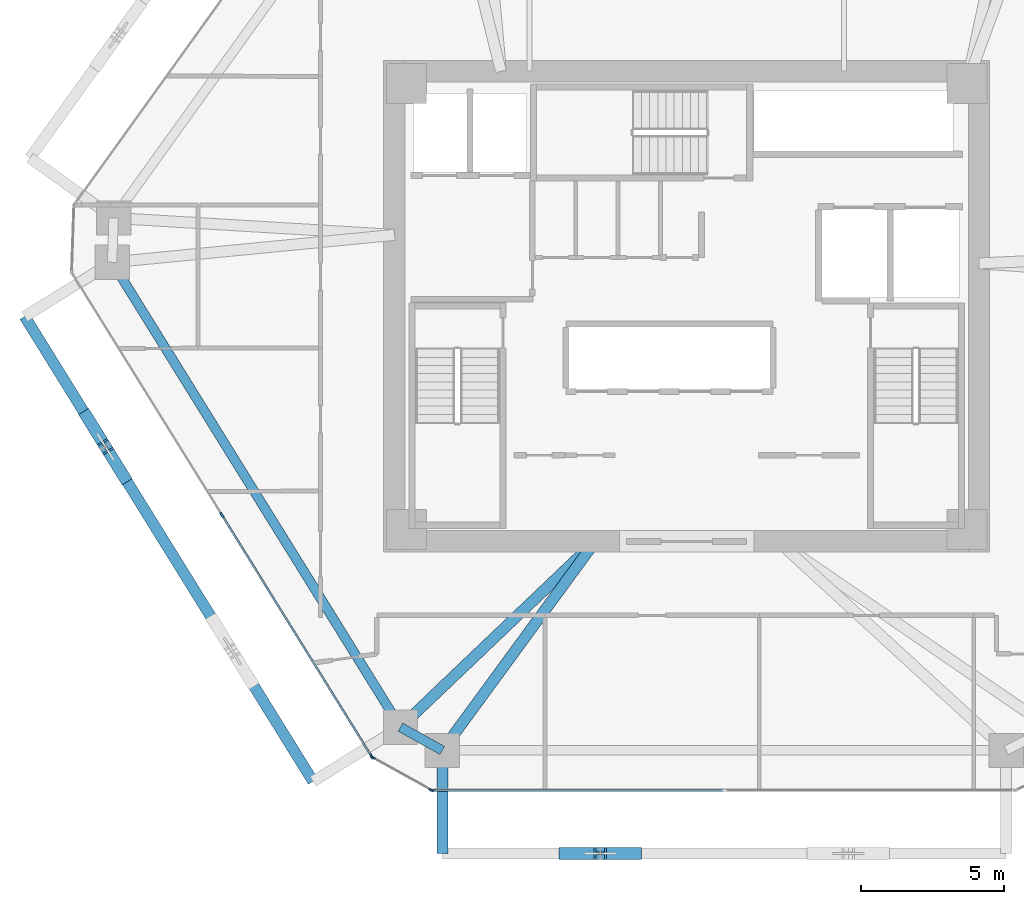
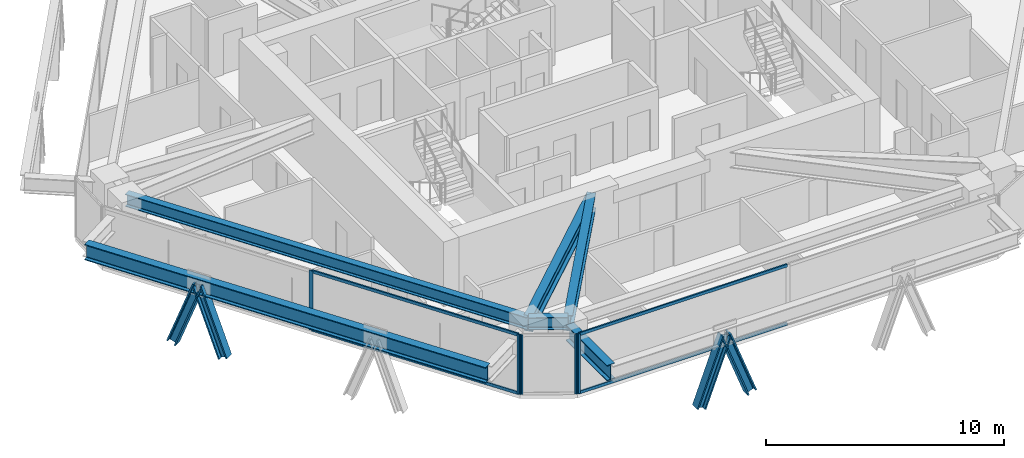
# One storey, part 2 of 16: 13 members, 6 beams, 3 elements without a shape of their own.
"""IFC4 building model written with IfcOpenShell, lengths in metres."""

from ifc_helpers import new_model, si_unit, direction, frame, origin, origin_2d, place, context, subcontext, project, spatial, rectangle, i_section, extrude, source, transform, mapped, material, layer, layer_set, material_profile, profile_set, type_object, type_shapes, element, aggregate, save


model = new_model("IFC4")

# Units and contexts
model_context = context("Model", 3, precision=1e-05, world=origin(), true_north=direction((0.0, 1.0)))
body_context = subcontext(model_context, "Body", "Model", "MODEL_VIEW")
ifc_project = project(units=[si_unit("LENGTHUNIT", "METRE"), si_unit("AREAUNIT", "SQUARE_METRE"), si_unit("VOLUMEUNIT", "CUBIC_METRE"), si_unit("PLANEANGLEUNIT", "RADIAN"), si_unit("MASSUNIT", "GRAM", prefix="KILO")], contexts=[model_context])

# Site, building, storey
site_placement = place(None, origin())
site = spatial("IfcSite", under=ifc_project, at=site_placement, CompositionType="ELEMENT")
building_placement = place(site_placement, origin())
building = spatial("IfcBuilding", under=site, at=building_placement, Name="Durnholm Broadcast Tower", CompositionType="ELEMENT")
storey_placement = place(building_placement, frame((0.0, 0.0, 123.89990234375)))
storey = spatial("IfcBuildingStorey", under=building, at=storey_placement, Name="L33", CompositionType="ELEMENT", Elevation=123.89990234375)

# Beams
ifc_material_1 = material(Name="Steel ASTM A992 Grade 50", Category="steel")
ifc_material_profile_1 = material_profile(ifc_material_1, i_section(OverallWidth=0.385009765625, OverallDepth=0.802978515625, WebThickness=0.023681640625, FlangeThickness=0.0419921875, FilletRadius=0.032958984375, at=origin_2d()), Name="W30X261")
ifc_profile_set_1 = profile_set([ifc_material_profile_1], Name="Steel ASTM A992 Grade 50")
beam_type_1 = type_object("IfcBeamType", Name="BM-EXO-TIE", PredefinedType="USERDEFINED", material=ifc_profile_set_1)
shared_shape_1 = source(origin(), body_context, "Body", "SweptSolid", [
    extrude(i_section(OverallWidth=0.385009765625, OverallDepth=0.802978515625, WebThickness=0.023681640625, FlangeThickness=0.0419921875, FilletRadius=0.032958984375, at=origin_2d()), origin(), (0.0, 0.0, 1.0), 3.4560546875),
])
beam_1_placement = place(storey_placement, frame((-8.552001953125, -15.680908203125, 2.30859375), z_axis=(0.0, -1.0, 0.0), x_axis=(1.0, 0.0, 0.0)))
element("IfcBeam", 1, at=beam_1_placement, inside=storey, type_object=beam_type_1, Name="L33 exoskeleton stand-off tie bracket F1.1", ObjectType="GIRDER", PredefinedType="USERDEFINED", context=body_context, shape_type="MappedRepresentation", body=[
    mapped(shared_shape_1, transform((0.0, 0.0, 0.0), x_axis=(1.0, 0.0, 0.0), y_axis=(0.0, 1.0, 0.0), z_axis=(0.0, 0.0, 1.0), scale=1.0)),
])
ifc_material_profile_2 = material_profile(ifc_material_1, i_section(OverallWidth=0.3291015625, OverallDepth=0.635009765625, WebThickness=0.017822265625, FlangeThickness=0.031005859375, FilletRadius=0.02783203125, at=origin_2d()), Name="W24X162")
ifc_profile_set_2 = profile_set([ifc_material_profile_2], Name="Steel ASTM A992 Grade 50")
beam_type_2 = type_object("IfcBeamType", Name="STL-SP-W24X162", PredefinedType="SPANDREL", material=ifc_profile_set_2)
shared_shape_2 = source(origin(), body_context, "Body", "SweptSolid", [
    extrude(i_section(OverallWidth=0.3291015625, OverallDepth=0.635009765625, WebThickness=0.017822265625, FlangeThickness=0.031005859375, FilletRadius=0.02783203125, at=origin_2d()), origin(), (0.0, 0.0, 1.0), 19.1396484375),
])
beam_2_placement = place(storey_placement, frame((-10.01416015625, -14.723388671875, 2.7275390625), z_axis=(-0.527105324954, 0.849799962582, 0.0), x_axis=(-0.849799962582, -0.527105324954, 0.0)))
element("IfcBeam", 2, at=beam_2_placement, inside=storey, type_object=beam_type_2, Name="L33 perimeter spandrel girder 01", PredefinedType="SPANDREL", context=body_context, shape_type="MappedRepresentation", body=[
    mapped(shared_shape_2, transform((0.0, 0.0, 0.0), x_axis=(1.0, 0.0, 0.0), y_axis=(0.0, 1.0, 0.0), z_axis=(0.0, 0.0, 1.0), scale=1.0)),
])
shared_shape_3 = source(origin(), body_context, "Body", "SweptSolid", [
    extrude(i_section(OverallWidth=0.3291015625, OverallDepth=0.635009765625, WebThickness=0.017822265625, FlangeThickness=0.031005859375, FilletRadius=0.02783203125, at=origin_2d()), origin(), (0.0, 0.0, 1.0), 1.67333984375),
])
type_shapes(beam_type_2, [shared_shape_2, shared_shape_3])
beam_3_placement = place(storey_placement, frame((-8.552001953125, -15.537109375, 2.7275390625), z_axis=(-0.873799169188, 0.486286964586, 0.0), x_axis=(-0.486286964586, -0.873799169188, 0.0)))
element("IfcBeam", 3, at=beam_3_placement, inside=storey, type_object=beam_type_2, Name="L33 perimeter spandrel girder 12", PredefinedType="SPANDREL", context=body_context, shape_type="MappedRepresentation", body=[
    mapped(shared_shape_3, transform((0.0, 0.0, 0.0), x_axis=(1.0, 0.0, 0.0), y_axis=(0.0, 1.0, 0.0), z_axis=(0.0, 0.0, 1.0), scale=1.0)),
])
ifc_material_profile_3 = material_profile(ifc_material_1, i_section(OverallWidth=0.385009765625, OverallDepth=0.802978515625, WebThickness=0.023681640625, FlangeThickness=0.0419921875, FilletRadius=0.032958984375, at=origin_2d()), Name="W30X261")
ifc_profile_set_3 = profile_set([ifc_material_profile_3], Name="Steel ASTM A992 Grade 50")
beam_type_3 = type_object("IfcBeamType", Name="STL-GR-W30X261", PredefinedType="USERDEFINED", material=ifc_profile_set_3)
shared_shape_4 = source(origin(), body_context, "Body", "SweptSolid", [
    extrude(i_section(OverallWidth=0.385009765625, OverallDepth=0.802978515625, WebThickness=0.023681640625, FlangeThickness=0.0419921875, FilletRadius=0.032958984375, at=origin_2d()), origin(), (0.0, 0.0, 1.0), 9.416015625),
])
beam_4_placement = place(storey_placement, frame((-3.199951171875, -8.22509765625, 2.6435546875), z_axis=(-0.723683335801, -0.690132182617, 0.0), x_axis=(0.690132182617, -0.723683335801, 0.0)))
element("IfcBeam", 4, at=beam_4_placement, inside=storey, type_object=beam_type_3, Name="L33 radial primary floor girder 01", ObjectType="GIRDER", PredefinedType="USERDEFINED", context=body_context, shape_type="MappedRepresentation", body=[
    mapped(shared_shape_4, transform((0.0, 0.0, 0.0), x_axis=(1.0, 0.0, 0.0), y_axis=(0.0, 1.0, 0.0), z_axis=(0.0, 0.0, 1.0), scale=1.0)),
])
shared_shape_5 = source(origin(), body_context, "Body", "SweptSolid", [
    extrude(i_section(OverallWidth=0.385009765625, OverallDepth=0.802978515625, WebThickness=0.023681640625, FlangeThickness=0.0419921875, FilletRadius=0.032958984375, at=origin_2d()), origin(), (0.0, 0.0, 1.0), 9.0615234375),
])
type_shapes(beam_type_3, [shared_shape_4, shared_shape_5])
beam_5_placement = place(storey_placement, frame((-3.199951171875, -8.22509765625, 2.6435546875), z_axis=(-0.590639241086, -0.806935739008, 0.0), x_axis=(0.806935739008, -0.590639241086, 0.0)))
element("IfcBeam", 5, at=beam_5_placement, inside=storey, type_object=beam_type_3, Name="L33 radial primary floor girder 12", ObjectType="GIRDER", PredefinedType="USERDEFINED", context=body_context, shape_type="MappedRepresentation", body=[
    mapped(shared_shape_5, transform((0.0, 0.0, 0.0), x_axis=(1.0, 0.0, 0.0), y_axis=(0.0, 1.0, 0.0), z_axis=(0.0, 0.0, 1.0), scale=1.0)),
])
shared_shape_6 = source(origin(), body_context, "Body", "SweptSolid", [
    extrude(i_section(OverallWidth=0.385009765625, OverallDepth=0.802978515625, WebThickness=0.023681640625, FlangeThickness=0.0419921875, FilletRadius=0.032958984375, at=origin_2d()), origin(), (0.0, 0.0, 1.0), 19.139404296875),
])
type_shapes(beam_type_1, [shared_shape_1, shared_shape_6])
beam_6_placement = place(storey_placement, frame((-23.162109375, -0.356201171875, 2.30859375), z_axis=(0.527111038734, -0.84979641847, 0.0), x_axis=(0.84979641847, 0.527111038734, 0.0)))
element("IfcBeam", 6, at=beam_6_placement, inside=storey, type_object=beam_type_1, Name="L33 exoskeleton collector spandrel F6", PredefinedType="SPANDREL", context=body_context, shape_type="MappedRepresentation", body=[
    mapped(shared_shape_6, transform((0.0, 0.0, 0.0), x_axis=(1.0, 0.0, 0.0), y_axis=(0.0, 1.0, 0.0), z_axis=(0.0, 0.0, 1.0), scale=1.0)),
])

# Members
ifc_material_2 = material(Name="Steel ASTM A913 Grade 65", Category="steel")
ifc_material_profile_4 = material_profile(ifc_material_2, i_section(OverallWidth=0.41845703125, OverallDepth=0.455078125, WebThickness=0.0419921875, FlangeThickness=0.067626953125, FilletRadius=0.030517578125, at=origin_2d()), Name="W14X370")
ifc_profile_set_4 = profile_set([ifc_material_profile_4], Name="Steel ASTM A913 Grade 65")
member_type_1 = type_object("IfcMemberType", Name="STL-DG-W14X370", PredefinedType="BRACE", material=ifc_profile_set_4)
shared_shape_7 = source(origin(), body_context, "Body", "SweptSolid", [
    extrude(i_section(OverallWidth=0.41845703125, OverallDepth=0.455078125, WebThickness=0.0419921875, FlangeThickness=0.067626953125, FilletRadius=0.030517578125, at=origin_2d()), origin(), (0.0, 0.0, 1.0), 3.52294921875),
])
type_shapes(member_type_1, [shared_shape_7])
for number, where, z_axis, x_axis, name in (
    (7, (-4.261962890625, -19.136962890625, -0.9912109375), (0.350242321485, 0.0, 0.93665912489), (0.0, 1.0, 0.0), "L33 stand-off diagrid brace F1.D1.1"),
    (8, (-1.794189453125, -19.136962890625, -0.9912109375), (-0.350242321485, 0.0, 0.93665912489), (0.0, -1.0, 0.0), "L33 stand-off diagrid brace F1.D1.2"),
    (9, (-20.987548828125, -3.86181640625, -0.9912109375), (0.184614818514, -0.297642884954, 0.936656864503), (0.849805205368, 0.527096872433, 0.0), "L33 stand-off diagrid brace F6.D1.1"),
    (10, (-19.686767578125, -5.958740234375, -0.9912109375), (-0.184618626166, 0.297579722507, 0.936676182907), (-0.849750220063, -0.527185511469, 0.0), "L33 stand-off diagrid brace F6.D1.2"),
):
    element("IfcMember", number, at=place(storey_placement, frame(where, z_axis=z_axis, x_axis=x_axis)), inside=storey, type_object=member_type_1, Name=name, PredefinedType="BRACE", context=body_context, shape_type="MappedRepresentation", body=[
        mapped(shared_shape_7, transform((0.0, 0.0, 0.0), x_axis=(1.0, 0.0, 0.0), y_axis=(0.0, 1.0, 0.0), z_axis=(0.0, 0.0, 1.0), scale=1.0)),
    ])

# Curtain wall, members
ifc_material_3 = material(Name="Aluminium and Solar Control IGU", Category="aluminium")
ifc_layer_1 = layer(ifc_material_3, 0.1650390625)
ifc_layer_set_1 = layer_set([ifc_layer_1], Name="Aluminium and Solar Control IGU")
curtain_wall_type_1 = type_object("IfcCurtainWallType", Name="CW-SYS-5", PredefinedType="NOTDEFINED", material=ifc_layer_set_1)
curtain_wall_1_placement = place(storey_placement, origin())
curtain_wall_1 = element("IfcCurtainWall", 11, at=curtain_wall_1_placement, inside=storey, type_object=curtain_wall_type_1, Name="L33 curtain wall CW-CORNER CW-L33-CRN-11", PredefinedType="NOTDEFINED")
ifc_material_4 = material(Name="Aluminium 6063-T6", Category="aluminium")
ifc_material_profile_5 = material_profile(ifc_material_4, rectangle(XDim=0.06494140625, YDim=0.1650390625, at=origin_2d()), Name="CWM65X165")
ifc_profile_set_5 = profile_set([ifc_material_profile_5], Name="Aluminium 6063-T6")
member_type_2 = type_object("IfcMemberType", Name="CW-SYS-5-MUL", PredefinedType="MULLION", material=ifc_profile_set_5)
shared_shape_8 = source(origin(), body_context, "Body", "SweptSolid", [
    extrude(rectangle(XDim=0.06494140625, YDim=0.1650390625, at=origin_2d()), origin(), (0.0, 0.0, 1.0), 3.06005859375),
])
type_shapes(member_type_2, [shared_shape_8])
member_1_placement = place(storey_placement, frame((-8.943603515625, -16.921142578125, 0.0), z_axis=(0.0, 0.0, 1.0), x_axis=(-0.486244224192, -0.873822953715, 0.0)))
member_1 = element("IfcMember", 12, at=member_1_placement, type_object=member_type_2, Name="CW-CORNER mullion 1", PredefinedType="MULLION", context=body_context, shape_type="MappedRepresentation", body=[
    mapped(shared_shape_8, transform((0.0, 0.0, 0.0), x_axis=(1.0, 0.0, 0.0), y_axis=(0.0, 1.0, 0.0), z_axis=(0.0, 0.0, 1.0), scale=1.0)),
])
member_2_placement = place(storey_placement, frame((-10.98388671875, -15.785888671875, 0.0), z_axis=(0.0, 0.0, 1.0), x_axis=(-0.486244224192, -0.873822953715, 0.0)))
member_2 = element("IfcMember", 13, at=member_2_placement, type_object=member_type_2, Name="CW-CORNER mullion 2", PredefinedType="MULLION", context=body_context, shape_type="MappedRepresentation", body=[
    mapped(shared_shape_8, transform((0.0, 0.0, 0.0), x_axis=(1.0, 0.0, 0.0), y_axis=(0.0, 1.0, 0.0), z_axis=(0.0, 0.0, 1.0), scale=1.0)),
])
aggregate(curtain_wall_1, [member_1, member_2])

# Curtain wall, member
ifc_layer_2 = layer(ifc_material_3, 0.18994140625)
ifc_layer_set_2 = layer_set([ifc_layer_2], Name="Aluminium and Solar Control IGU")
curtain_wall_type_2 = type_object("IfcCurtainWallType", Name="CW-SYS-3", PredefinedType="NOTDEFINED", material=ifc_layer_set_2)
curtain_wall_2_placement = place(storey_placement, origin())
curtain_wall_2 = element("IfcCurtainWall", 14, at=curtain_wall_2_placement, inside=storey, type_object=curtain_wall_type_2, Name="L33 curtain wall CW-Z12-VIS CW-L33-F10", PredefinedType="NOTDEFINED")
ifc_material_profile_6 = material_profile(ifc_material_4, rectangle(XDim=0.070068359375, YDim=0.18994140625, at=origin_2d()), Name="CWM70X190")
ifc_profile_set_6 = profile_set([ifc_material_profile_6], Name="Aluminium 6063-T6")
member_type_3 = type_object("IfcMemberType", Name="CW-SYS-3-MUL", PredefinedType="MULLION", material=ifc_profile_set_6)
shared_shape_9 = source(origin(), body_context, "Body", "SweptSolid", [
    extrude(rectangle(XDim=0.070068359375, YDim=0.18994140625, at=origin_2d()), origin(), (0.0, 0.0, 1.0), 3.06005859375),
])
type_shapes(member_type_3, [shared_shape_9])
member_3_placement = place(storey_placement, frame((-8.880126953125, -16.93701171875, 0.0), z_axis=(0.0, 0.0, 1.0), x_axis=(0.0, -1.0, 0.0)))
member_3 = element("IfcMember", 15, at=member_3_placement, type_object=member_type_3, Name="CW-Z12-VIS mullion 3", PredefinedType="MULLION", context=body_context, shape_type="MappedRepresentation", body=[
    mapped(shared_shape_9, transform((0.0, 0.0, 0.0), x_axis=(1.0, 0.0, 0.0), y_axis=(0.0, 1.0, 0.0), z_axis=(0.0, 0.0, 1.0), scale=1.0)),
])

# Curtain wall, members
curtain_wall_3_placement = place(storey_placement, origin())
curtain_wall_3 = element("IfcCurtainWall", 16, at=curtain_wall_3_placement, inside=storey, type_object=curtain_wall_type_2, Name="L33 curtain wall CW-Z12-VIS CW-L33-F12", PredefinedType="NOTDEFINED")
member_4_placement = place(storey_placement, frame((-11.03076171875, -15.740234375, 0.0), z_axis=(0.0, 0.0, 1.0), x_axis=(-0.849799925229, -0.527105385176, 0.0)))
member_4 = element("IfcMember", 17, at=member_4_placement, type_object=member_type_3, Name="CW-Z12-VIS mullion 1", PredefinedType="MULLION", context=body_context, shape_type="MappedRepresentation", body=[
    mapped(shared_shape_9, transform((0.0, 0.0, 0.0), x_axis=(1.0, 0.0, 0.0), y_axis=(0.0, 1.0, 0.0), z_axis=(0.0, 0.0, 1.0), scale=1.0)),
])
member_5_placement = place(storey_placement, frame((-16.264404296875, -7.302734375, 0.0), z_axis=(0.0, 0.0, 1.0), x_axis=(-0.849799925229, -0.527105385176, 0.0)))
member_5 = element("IfcMember", 18, at=member_5_placement, type_object=member_type_3, Name="CW-Z12-VIS mullion 2", PredefinedType="MULLION", context=body_context, shape_type="MappedRepresentation", body=[
    mapped(shared_shape_9, transform((0.0, 0.0, 0.0), x_axis=(1.0, 0.0, 0.0), y_axis=(0.0, 1.0, 0.0), z_axis=(0.0, 0.0, 1.0), scale=1.0)),
])

# Member
ifc_material_profile_7 = material_profile(ifc_material_4, rectangle(XDim=0.070068359375, YDim=0.14990234375, at=origin_2d()), Name="CWT70X150")
ifc_profile_set_7 = profile_set([ifc_material_profile_7], Name="Aluminium 6063-T6")
member_type_4 = type_object("IfcMemberType", Name="CW-SYS-3-TRN", PredefinedType="USERDEFINED", material=ifc_profile_set_7)
shared_shape_10 = source(origin(), body_context, "Body", "SweptSolid", [
    extrude(rectangle(XDim=0.070068359375, YDim=0.14990234375, at=origin_2d()), origin(), (0.0, 0.0, 1.0), 10.109619140625),
])
member_6_placement = place(storey_placement, frame((1.264404296875, -16.93701171875, 0.03515625), z_axis=(-1.0, 0.0, 0.0), x_axis=(0.0, -1.0, 0.0)))
member_6 = element("IfcMember", 19, at=member_6_placement, type_object=member_type_4, Name="CW-Z12-VIS transom 2.1", ObjectType="TRANSOM", PredefinedType="USERDEFINED", context=body_context, shape_type="MappedRepresentation", body=[
    mapped(shared_shape_10, transform((0.0, 0.0, 0.0), x_axis=(1.0, 0.0, 0.0), y_axis=(0.0, 1.0, 0.0), z_axis=(0.0, 0.0, 1.0), scale=1.0)),
])

member_7_placement = place(storey_placement, frame((1.264404296875, -16.93701171875, 3.025146484375), z_axis=(-1.0, 0.0, 0.0), x_axis=(0.0, -1.0, 0.0)))
member_7 = element("IfcMember", 20, at=member_7_placement, type_object=member_type_4, Name="CW-Z12-VIS transom 2.2", ObjectType="TRANSOM", PredefinedType="USERDEFINED", context=body_context, shape_type="MappedRepresentation", body=[
    mapped(shared_shape_10, transform((0.0, 0.0, 0.0), x_axis=(1.0, 0.0, 0.0), y_axis=(0.0, 1.0, 0.0), z_axis=(0.0, 0.0, 1.0), scale=1.0)),
])

aggregate(curtain_wall_2, [member_3, member_6, member_7])

shared_shape_11 = source(origin(), body_context, "Body", "SweptSolid", [
    extrude(rectangle(XDim=0.070068359375, YDim=0.14990234375, at=origin_2d()), origin(), (0.0, 0.0, 1.0), 9.858642578125),
])
type_shapes(member_type_4, [shared_shape_10, shared_shape_11])
member_8_placement = place(storey_placement, frame((-11.04931640625, -15.71044921875, 0.03515625), z_axis=(-0.527102081419, 0.849801974441, 0.0), x_axis=(-0.849801974441, -0.527102081419, 0.0)))
member_8 = element("IfcMember", 21, at=member_8_placement, type_object=member_type_4, Name="CW-Z12-VIS transom 1.1", ObjectType="TRANSOM", PredefinedType="USERDEFINED", context=body_context, shape_type="MappedRepresentation", body=[
    mapped(shared_shape_11, transform((0.0, 0.0, 0.0), x_axis=(1.0, 0.0, 0.0), y_axis=(0.0, 1.0, 0.0), z_axis=(0.0, 0.0, 1.0), scale=1.0)),
])

member_9_placement = place(storey_placement, frame((-11.04931640625, -15.71044921875, 3.025146484375), z_axis=(-0.527102081419, 0.849801974441, 0.0), x_axis=(-0.849801974441, -0.527102081419, 0.0)))
member_9 = element("IfcMember", 22, at=member_9_placement, type_object=member_type_4, Name="CW-Z12-VIS transom 1.2", ObjectType="TRANSOM", PredefinedType="USERDEFINED", context=body_context, shape_type="MappedRepresentation", body=[
    mapped(shared_shape_11, transform((0.0, 0.0, 0.0), x_axis=(1.0, 0.0, 0.0), y_axis=(0.0, 1.0, 0.0), z_axis=(0.0, 0.0, 1.0), scale=1.0)),
])

aggregate(curtain_wall_3, [member_4, member_5, member_8, member_9])

save(model, "model.ifc")
